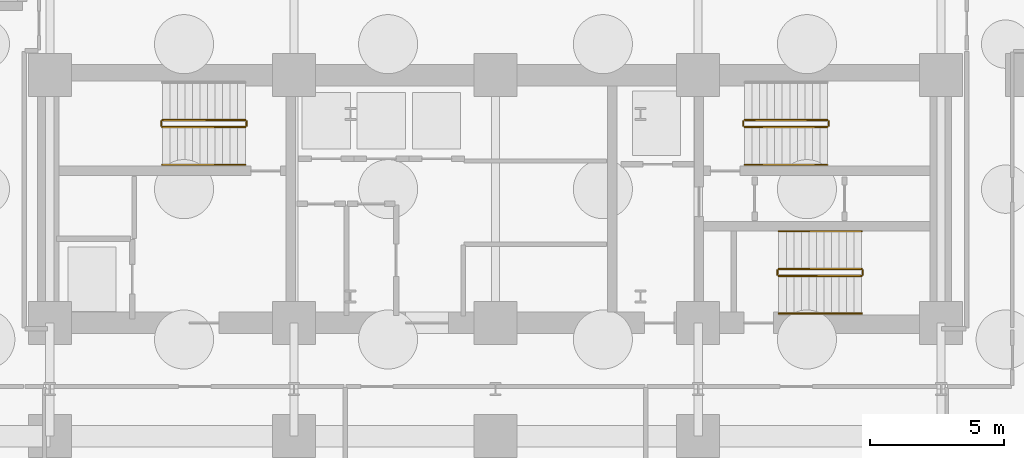
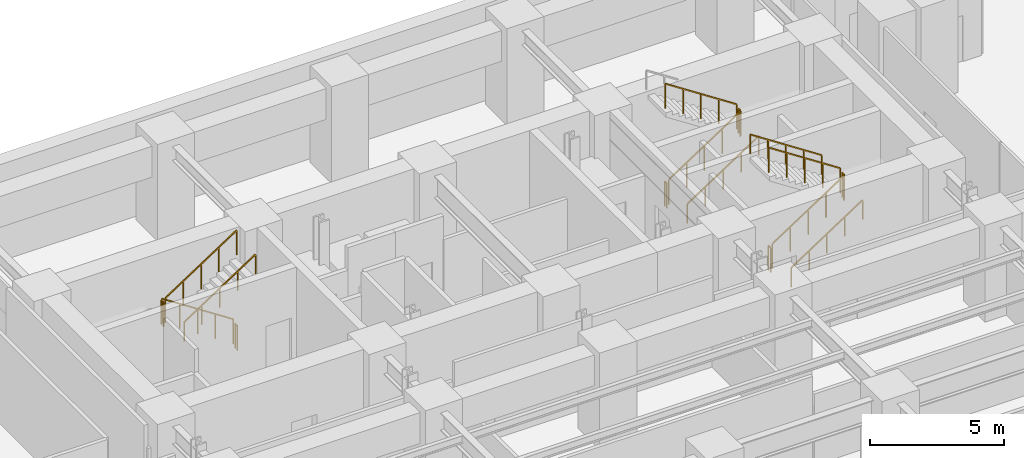
# One storey, part 6 of 9: 16 railings.
"""IFC4 building model written with IfcOpenShell, lengths in metres."""

from ifc_helpers import new_model, si_unit, direction, frame, origin, origin_2d, place, context, subcontext, project, spatial, rectangle, extrude, material, type_object, element, save


model = new_model("IFC4")

# Units and contexts
model_context = context("Model", 3, precision=1e-05, world=origin(), true_north=direction((0.0, 1.0)))
body_context = subcontext(model_context, "Body", "Model", "MODEL_VIEW")
ifc_project = project(units=[si_unit("LENGTHUNIT", "METRE"), si_unit("AREAUNIT", "SQUARE_METRE"), si_unit("VOLUMEUNIT", "CUBIC_METRE"), si_unit("PLANEANGLEUNIT", "RADIAN"), si_unit("MASSUNIT", "GRAM", prefix="KILO")], contexts=[model_context])

# Site, building, storey
site_placement = place(None, origin())
site = spatial("IfcSite", under=ifc_project, at=site_placement, CompositionType="ELEMENT")
building_placement = place(site_placement, origin())
building = spatial("IfcBuilding", under=site, at=building_placement, Name="Zarnavel Station Tower", CompositionType="ELEMENT")
storey_placement = place(building_placement, frame((0.0, 0.0, -13.199951171875)))
storey = spatial("IfcBuildingStorey", under=building, at=storey_placement, Name="B03", CompositionType="ELEMENT", Elevation=-13.199951171875)

# Railings
ifc_material_1 = material(Name="Painted Steel S355J2 Balustrade", Category="steel")
railing_type_1 = type_object("IfcRailingType", Name="GR_INT_1150", PredefinedType="GUARDRAIL", material=ifc_material_1)
railing_1_placement = place(storey_placement, frame((19.47998046875, 35.3701171875, 0.183349609375)))
element("IfcRailing", 1, at=railing_1_placement, inside=storey, type_object=railing_type_1, Name="B03 ST1 stair guard 1", PredefinedType="GUARDRAIL", context=body_context, shape_type="SweptSolid", body=[
    extrude(rectangle(XDim=0.048095703125, YDim=0.048095703125, at=origin_2d()), frame((-0.001708984375, 0.0, 1.126953125), z_axis=(-0.836633000464, 0.0, 0.547763838287), x_axis=(0.0, -1.0, 0.0)), (0.0, 0.0, 1.0), 3.677490234375),
    extrude(rectangle(XDim=0.0419921875, YDim=0.0419921875, at=origin_2d()), origin(), (0.0, 0.0, 1.0), 1.101806640625),
    extrude(rectangle(XDim=0.0419921875, YDim=0.0419921875, at=origin_2d()), frame((-0.77001953125, 0.0, 0.504150390625)), (0.0, 0.0, 1.0), 1.101806640625),
    extrude(rectangle(XDim=0.0419921875, YDim=0.0419921875, at=origin_2d()), frame((-1.5400390625, 0.0, 1.00830078125)), (0.0, 0.0, 1.0), 1.101806640625),
    extrude(rectangle(XDim=0.0419921875, YDim=0.0419921875, at=origin_2d()), frame((-2.31005859375, 0.0, 1.512451171875)), (0.0, 0.0, 1.0), 1.101806640625),
    extrude(rectangle(XDim=0.0419921875, YDim=0.0419921875, at=origin_2d()), frame((-3.080078125, 0.0, 2.0166015625)), (0.0, 0.0, 1.0), 1.101806640625),
])
railing_2_placement = place(storey_placement, frame((16.35009765625, 35.320068359375, 2.199951171875)))
element("IfcRailing", 2, at=railing_2_placement, inside=storey, type_object=railing_type_1, Name="B03 ST1 stair guard 2", PredefinedType="GUARDRAIL", context=body_context, shape_type="SweptSolid", body=[
    extrude(rectangle(XDim=0.048095703125, YDim=0.048095703125, at=origin_2d()), frame((0.0, -0.001953125, 1.1259765625), z_axis=(0.0, -1.0, 0.0), x_axis=(1.0, 0.0, 0.0)), (0.0, 0.0, 1.0), 0.15625),
    extrude(rectangle(XDim=0.0419921875, YDim=0.0419921875, at=origin_2d()), origin(), (0.0, 0.0, 1.0), 1.101806640625),
    extrude(rectangle(XDim=0.0419921875, YDim=0.0419921875, at=origin_2d()), frame((0.0, -0.16015625, 0.0)), (0.0, 0.0, 1.0), 1.101806640625),
])
railing_3_placement = place(storey_placement, frame((16.39990234375, 35.110107421875, 2.38330078125)))
element("IfcRailing", 3, at=railing_3_placement, inside=storey, type_object=railing_type_1, Name="B03 ST1 stair guard 3", PredefinedType="GUARDRAIL", context=body_context, shape_type="SweptSolid", body=[
    extrude(rectangle(XDim=0.048095703125, YDim=0.048095703125, at=origin_2d()), frame((0.001708984375, 0.0, 1.126953125), z_axis=(0.836633000464, 0.0, 0.547763838287), x_axis=(0.0, 1.0, 0.0)), (0.0, 0.0, 1.0), 3.677490234375),
    extrude(rectangle(XDim=0.0419921875, YDim=0.0419921875, at=origin_2d()), origin(), (0.0, 0.0, 1.0), 1.101806640625),
    extrude(rectangle(XDim=0.0419921875, YDim=0.0419921875, at=origin_2d()), frame((0.77001953125, 0.0, 0.504150390625)), (0.0, 0.0, 1.0), 1.101806640625),
    extrude(rectangle(XDim=0.0419921875, YDim=0.0419921875, at=origin_2d()), frame((1.5400390625, 0.0, 1.00830078125)), (0.0, 0.0, 1.0), 1.101806640625),
    extrude(rectangle(XDim=0.0419921875, YDim=0.0419921875, at=origin_2d()), frame((2.31005859375, 0.0, 1.512451171875)), (0.0, 0.0, 1.0), 1.101806640625),
    extrude(rectangle(XDim=0.0419921875, YDim=0.0419921875, at=origin_2d()), frame((3.080078125, 0.0, 2.0166015625)), (0.0, 0.0, 1.0), 1.101806640625),
])
railing_4_placement = place(storey_placement, frame((19.530029296875, 35.320068359375, 0.0)))
element("IfcRailing", 4, at=railing_4_placement, inside=storey, type_object=railing_type_1, Name="B03 ST1 stair guard 4", PredefinedType="GUARDRAIL", context=body_context, shape_type="SweptSolid", body=[
    extrude(rectangle(XDim=0.048095703125, YDim=0.048095703125, at=origin_2d()), frame((0.0, -0.001953125, 1.1259765625), z_axis=(0.0, -1.0, 0.0), x_axis=(1.0, 0.0, 0.0)), (0.0, 0.0, 1.0), 0.15625),
    extrude(rectangle(XDim=0.0419921875, YDim=0.0419921875, at=origin_2d()), origin(), (0.0, 0.0, 1.0), 1.101806640625),
    extrude(rectangle(XDim=0.0419921875, YDim=0.0419921875, at=origin_2d()), frame((0.0, -0.16015625, 0.0)), (0.0, 0.0, 1.0), 1.101806640625),
])
railing_5_placement = place(storey_placement, frame((38.080078125, 35.110107421875, 0.183349609375)))
element("IfcRailing", 5, at=railing_5_placement, inside=storey, type_object=railing_type_1, Name="B03 ST2 stair guard 1", PredefinedType="GUARDRAIL", context=body_context, shape_type="SweptSolid", body=[
    extrude(rectangle(XDim=0.048095703125, YDim=0.048095703125, at=origin_2d()), frame((0.001708984375, 0.0, 1.126953125), z_axis=(0.836613101238, 0.0, 0.547794230379), x_axis=(0.0, 1.0, 0.0)), (0.0, 0.0, 1.0), 3.67724609375),
    extrude(rectangle(XDim=0.0419921875, YDim=0.0419921875, at=origin_2d()), origin(), (0.0, 0.0, 1.0), 1.101806640625),
    extrude(rectangle(XDim=0.0419921875, YDim=0.0419921875, at=origin_2d()), frame((0.77001953125, 0.0, 0.504150390625)), (0.0, 0.0, 1.0), 1.101806640625),
    extrude(rectangle(XDim=0.0419921875, YDim=0.0419921875, at=origin_2d()), frame((1.5400390625, 0.0, 1.00830078125)), (0.0, 0.0, 1.0), 1.101806640625),
    extrude(rectangle(XDim=0.0419921875, YDim=0.0419921875, at=origin_2d()), frame((2.309814453125, 0.0, 1.512451171875)), (0.0, 0.0, 1.0), 1.101806640625),
    extrude(rectangle(XDim=0.0419921875, YDim=0.0419921875, at=origin_2d()), frame((3.079833984375, 0.0, 2.0166015625)), (0.0, 0.0, 1.0), 1.101806640625),
])
railing_6_placement = place(storey_placement, frame((41.2099609375, 35.159912109375, 2.199951171875)))
element("IfcRailing", 6, at=railing_6_placement, inside=storey, type_object=railing_type_1, Name="B03 ST2 stair guard 2", PredefinedType="GUARDRAIL", context=body_context, shape_type="SweptSolid", body=[
    extrude(rectangle(XDim=0.048095703125, YDim=0.048095703125, at=origin_2d()), frame((0.0, 0.001953125, 1.1259765625), z_axis=(0.0, 1.0, 0.0), x_axis=(-1.0, 0.0, 0.0)), (0.0, 0.0, 1.0), 0.15625),
    extrude(rectangle(XDim=0.0419921875, YDim=0.0419921875, at=origin_2d()), origin(), (0.0, 0.0, 1.0), 1.101806640625),
    extrude(rectangle(XDim=0.0419921875, YDim=0.0419921875, at=origin_2d()), frame((0.0, 0.16015625, 0.0)), (0.0, 0.0, 1.0), 1.101806640625),
])
railing_7_placement = place(storey_placement, frame((41.159912109375, 35.3701171875, 2.38330078125)))
element("IfcRailing", 7, at=railing_7_placement, inside=storey, type_object=railing_type_1, Name="B03 ST2 stair guard 3", PredefinedType="GUARDRAIL", context=body_context, shape_type="SweptSolid", body=[
    extrude(rectangle(XDim=0.048095703125, YDim=0.048095703125, at=origin_2d()), frame((-0.001708984375, 0.0, 1.126953125), z_axis=(-0.836613101238, 0.0, 0.547794230379), x_axis=(0.0, -1.0, 0.0)), (0.0, 0.0, 1.0), 3.67724609375),
    extrude(rectangle(XDim=0.0419921875, YDim=0.0419921875, at=origin_2d()), origin(), (0.0, 0.0, 1.0), 1.101806640625),
    extrude(rectangle(XDim=0.0419921875, YDim=0.0419921875, at=origin_2d()), frame((-0.77001953125, 0.0, 0.504150390625)), (0.0, 0.0, 1.0), 1.101806640625),
    extrude(rectangle(XDim=0.0419921875, YDim=0.0419921875, at=origin_2d()), frame((-1.5400390625, 0.0, 1.00830078125)), (0.0, 0.0, 1.0), 1.101806640625),
    extrude(rectangle(XDim=0.0419921875, YDim=0.0419921875, at=origin_2d()), frame((-2.309814453125, 0.0, 1.512451171875)), (0.0, 0.0, 1.0), 1.101806640625),
    extrude(rectangle(XDim=0.0419921875, YDim=0.0419921875, at=origin_2d()), frame((-3.079833984375, 0.0, 2.0166015625)), (0.0, 0.0, 1.0), 1.101806640625),
])
railing_8_placement = place(storey_placement, frame((38.030029296875, 35.159912109375, 0.0)))
element("IfcRailing", 8, at=railing_8_placement, inside=storey, type_object=railing_type_1, Name="B03 ST2 stair guard 4", PredefinedType="GUARDRAIL", context=body_context, shape_type="SweptSolid", body=[
    extrude(rectangle(XDim=0.048095703125, YDim=0.048095703125, at=origin_2d()), frame((0.0, 0.001953125, 1.1259765625), z_axis=(0.0, 1.0, 0.0), x_axis=(-1.0, 0.0, 0.0)), (0.0, 0.0, 1.0), 0.15625),
    extrude(rectangle(XDim=0.0419921875, YDim=0.0419921875, at=origin_2d()), origin(), (0.0, 0.0, 1.0), 1.101806640625),
    extrude(rectangle(XDim=0.0419921875, YDim=0.0419921875, at=origin_2d()), frame((0.0, 0.16015625, 0.0)), (0.0, 0.0, 1.0), 1.101806640625),
])
railing_9_placement = place(storey_placement, frame((39.35009765625, 29.570068359375, 0.183349609375)))
element("IfcRailing", 9, at=railing_9_placement, inside=storey, type_object=railing_type_1, Name="B03 ST3 stair guard 1", PredefinedType="GUARDRAIL", context=body_context, shape_type="SweptSolid", body=[
    extrude(rectangle(XDim=0.048095703125, YDim=0.048095703125, at=origin_2d()), frame((0.001708984375, 0.0, 1.126953125), z_axis=(0.836613101238, 0.0, 0.547794230379), x_axis=(0.0, 1.0, 0.0)), (0.0, 0.0, 1.0), 3.67724609375),
    extrude(rectangle(XDim=0.0419921875, YDim=0.0419921875, at=origin_2d()), origin(), (0.0, 0.0, 1.0), 1.101806640625),
    extrude(rectangle(XDim=0.0419921875, YDim=0.0419921875, at=origin_2d()), frame((0.77001953125, 0.0, 0.504150390625)), (0.0, 0.0, 1.0), 1.101806640625),
    extrude(rectangle(XDim=0.0419921875, YDim=0.0419921875, at=origin_2d()), frame((1.5400390625, 0.0, 1.00830078125)), (0.0, 0.0, 1.0), 1.101806640625),
    extrude(rectangle(XDim=0.0419921875, YDim=0.0419921875, at=origin_2d()), frame((2.309814453125, 0.0, 1.512451171875)), (0.0, 0.0, 1.0), 1.101806640625),
    extrude(rectangle(XDim=0.0419921875, YDim=0.0419921875, at=origin_2d()), frame((3.079833984375, 0.0, 2.0166015625)), (0.0, 0.0, 1.0), 1.101806640625),
])
railing_10_placement = place(storey_placement, frame((42.47998046875, 29.6201171875, 2.199951171875)))
element("IfcRailing", 10, at=railing_10_placement, inside=storey, type_object=railing_type_1, Name="B03 ST3 stair guard 2", PredefinedType="GUARDRAIL", context=body_context, shape_type="SweptSolid", body=[
    extrude(rectangle(XDim=0.048095703125, YDim=0.048095703125, at=origin_2d()), frame((0.0, 0.001953125, 1.1259765625), z_axis=(0.0, 1.0, 0.0), x_axis=(-1.0, 0.0, 0.0)), (0.0, 0.0, 1.0), 0.156005859375),
    extrude(rectangle(XDim=0.0419921875, YDim=0.0419921875, at=origin_2d()), origin(), (0.0, 0.0, 1.0), 1.101806640625),
    extrude(rectangle(XDim=0.0419921875, YDim=0.0419921875, at=origin_2d()), frame((0.0, 0.159912109375, 0.0)), (0.0, 0.0, 1.0), 1.101806640625),
])
railing_11_placement = place(storey_placement, frame((42.429931640625, 29.830078125, 2.38330078125)))
element("IfcRailing", 11, at=railing_11_placement, inside=storey, type_object=railing_type_1, Name="B03 ST3 stair guard 3", PredefinedType="GUARDRAIL", context=body_context, shape_type="SweptSolid", body=[
    extrude(rectangle(XDim=0.048095703125, YDim=0.048095703125, at=origin_2d()), frame((-0.001708984375, 0.0, 1.126953125), z_axis=(-0.836613101238, 0.0, 0.547794230379), x_axis=(0.0, -1.0, 0.0)), (0.0, 0.0, 1.0), 3.67724609375),
    extrude(rectangle(XDim=0.0419921875, YDim=0.0419921875, at=origin_2d()), origin(), (0.0, 0.0, 1.0), 1.101806640625),
    extrude(rectangle(XDim=0.0419921875, YDim=0.0419921875, at=origin_2d()), frame((-0.77001953125, 0.0, 0.504150390625)), (0.0, 0.0, 1.0), 1.101806640625),
    extrude(rectangle(XDim=0.0419921875, YDim=0.0419921875, at=origin_2d()), frame((-1.5400390625, 0.0, 1.00830078125)), (0.0, 0.0, 1.0), 1.101806640625),
    extrude(rectangle(XDim=0.0419921875, YDim=0.0419921875, at=origin_2d()), frame((-2.309814453125, 0.0, 1.512451171875)), (0.0, 0.0, 1.0), 1.101806640625),
    extrude(rectangle(XDim=0.0419921875, YDim=0.0419921875, at=origin_2d()), frame((-3.079833984375, 0.0, 2.0166015625)), (0.0, 0.0, 1.0), 1.101806640625),
])
railing_12_placement = place(storey_placement, frame((39.300048828125, 29.6201171875, 0.0)))
element("IfcRailing", 12, at=railing_12_placement, inside=storey, type_object=railing_type_1, Name="B03 ST3 stair guard 4", PredefinedType="GUARDRAIL", context=body_context, shape_type="SweptSolid", body=[
    extrude(rectangle(XDim=0.048095703125, YDim=0.048095703125, at=origin_2d()), frame((0.0, 0.001953125, 1.1259765625), z_axis=(0.0, 1.0, 0.0), x_axis=(-1.0, 0.0, 0.0)), (0.0, 0.0, 1.0), 0.156005859375),
    extrude(rectangle(XDim=0.0419921875, YDim=0.0419921875, at=origin_2d()), origin(), (0.0, 0.0, 1.0), 1.101806640625),
    extrude(rectangle(XDim=0.0419921875, YDim=0.0419921875, at=origin_2d()), frame((0.0, 0.159912109375, 0.0)), (0.0, 0.0, 1.0), 1.101806640625),
])
ifc_material_2 = material(Name="Brushed Stainless Steel S355J2 Handrail", Category="steel")
railing_type_2 = type_object("IfcRailingType", Name="HR_STAIR_900", PredefinedType="HANDRAIL", material=ifc_material_2)
railing_13_placement = place(storey_placement, frame((16.39990234375, 33.7099609375, 2.38330078125)))
element("IfcRailing", 13, at=railing_13_placement, inside=storey, type_object=railing_type_2, Name="B03 ST1 stair handrail 2", PredefinedType="HANDRAIL", context=body_context, shape_type="SweptSolid", body=[
    extrude(rectangle(XDim=0.048095703125, YDim=0.048095703125, at=origin_2d()), frame((0.001708984375, 0.0, 0.876953125), z_axis=(0.836633000464, 0.0, 0.547763838287), x_axis=(0.0, 1.0, 0.0)), (0.0, 0.0, 1.0), 3.677490234375),
    extrude(rectangle(XDim=0.0419921875, YDim=0.0419921875, at=origin_2d()), origin(), (0.0, 0.0, 1.0), 0.851806640625),
    extrude(rectangle(XDim=0.0419921875, YDim=0.0419921875, at=origin_2d()), frame((0.77001953125, 0.0, 0.504150390625)), (0.0, 0.0, 1.0), 0.851806640625),
    extrude(rectangle(XDim=0.0419921875, YDim=0.0419921875, at=origin_2d()), frame((1.5400390625, 0.0, 1.00830078125)), (0.0, 0.0, 1.0), 0.851806640625),
    extrude(rectangle(XDim=0.0419921875, YDim=0.0419921875, at=origin_2d()), frame((2.31005859375, 0.0, 1.512451171875)), (0.0, 0.0, 1.0), 0.851806640625),
    extrude(rectangle(XDim=0.0419921875, YDim=0.0419921875, at=origin_2d()), frame((3.080078125, 0.0, 2.0166015625)), (0.0, 0.0, 1.0), 0.851806640625),
])
for number, where, name in (
    (14, (38.080078125, 33.7099609375, 0.183349609375), "B03 ST2 stair handrail 1"),
    (15, (39.35009765625, 28.169921875, 0.183349609375), "B03 ST3 stair handrail 1"),
):
    element("IfcRailing", number, at=place(storey_placement, frame(where)), inside=storey, type_object=railing_type_2, Name=name, PredefinedType="HANDRAIL", context=body_context, shape_type="SweptSolid", body=[
        extrude(rectangle(XDim=0.048095703125, YDim=0.048095703125, at=origin_2d()), frame((0.001708984375, 0.0, 0.876953125), z_axis=(0.836613101238, 0.0, 0.547794230379), x_axis=(0.0, 1.0, 0.0)), (0.0, 0.0, 1.0), 3.67724609375),
        extrude(rectangle(XDim=0.0419921875, YDim=0.0419921875, at=origin_2d()), origin(), (0.0, 0.0, 1.0), 0.851806640625),
        extrude(rectangle(XDim=0.0419921875, YDim=0.0419921875, at=origin_2d()), frame((0.77001953125, 0.0, 0.504150390625)), (0.0, 0.0, 1.0), 0.851806640625),
        extrude(rectangle(XDim=0.0419921875, YDim=0.0419921875, at=origin_2d()), frame((1.5400390625, 0.0, 1.00830078125)), (0.0, 0.0, 1.0), 0.851806640625),
        extrude(rectangle(XDim=0.0419921875, YDim=0.0419921875, at=origin_2d()), frame((2.309814453125, 0.0, 1.512451171875)), (0.0, 0.0, 1.0), 0.851806640625),
        extrude(rectangle(XDim=0.0419921875, YDim=0.0419921875, at=origin_2d()), frame((3.079833984375, 0.0, 2.0166015625)), (0.0, 0.0, 1.0), 0.851806640625),
    ])
railing_14_placement = place(storey_placement, frame((42.429931640625, 31.22998046875, 2.38330078125)))
element("IfcRailing", 16, at=railing_14_placement, inside=storey, type_object=railing_type_2, Name="B03 ST3 stair handrail 2", PredefinedType="HANDRAIL", context=body_context, shape_type="SweptSolid", body=[
    extrude(rectangle(XDim=0.048095703125, YDim=0.048095703125, at=origin_2d()), frame((-0.001708984375, 0.0, 0.876953125), z_axis=(-0.836613101238, 0.0, 0.547794230379), x_axis=(0.0, -1.0, 0.0)), (0.0, 0.0, 1.0), 3.67724609375),
    extrude(rectangle(XDim=0.0419921875, YDim=0.0419921875, at=origin_2d()), origin(), (0.0, 0.0, 1.0), 0.851806640625),
    extrude(rectangle(XDim=0.0419921875, YDim=0.0419921875, at=origin_2d()), frame((-0.77001953125, 0.0, 0.504150390625)), (0.0, 0.0, 1.0), 0.851806640625),
    extrude(rectangle(XDim=0.0419921875, YDim=0.0419921875, at=origin_2d()), frame((-1.5400390625, 0.0, 1.00830078125)), (0.0, 0.0, 1.0), 0.851806640625),
    extrude(rectangle(XDim=0.0419921875, YDim=0.0419921875, at=origin_2d()), frame((-2.309814453125, 0.0, 1.512451171875)), (0.0, 0.0, 1.0), 0.851806640625),
    extrude(rectangle(XDim=0.0419921875, YDim=0.0419921875, at=origin_2d()), frame((-3.079833984375, 0.0, 2.0166015625)), (0.0, 0.0, 1.0), 0.851806640625),
])

save(model, "model.ifc")
